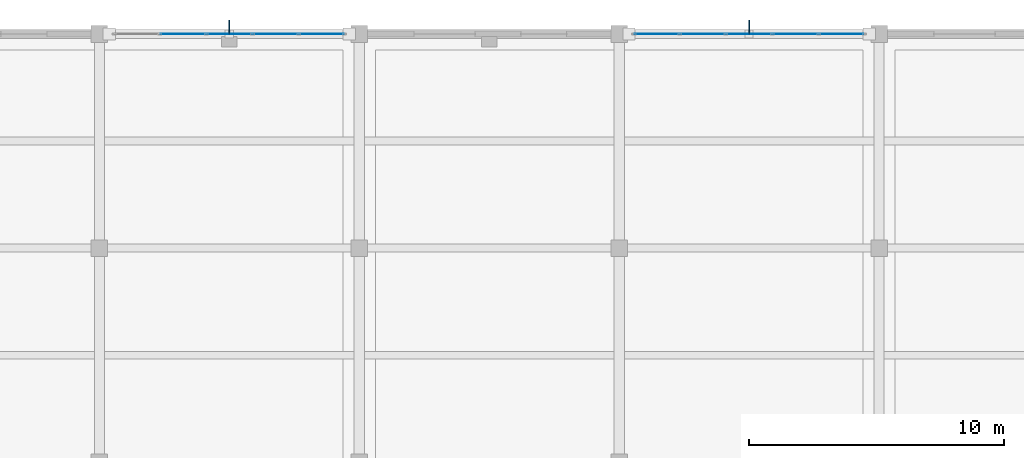
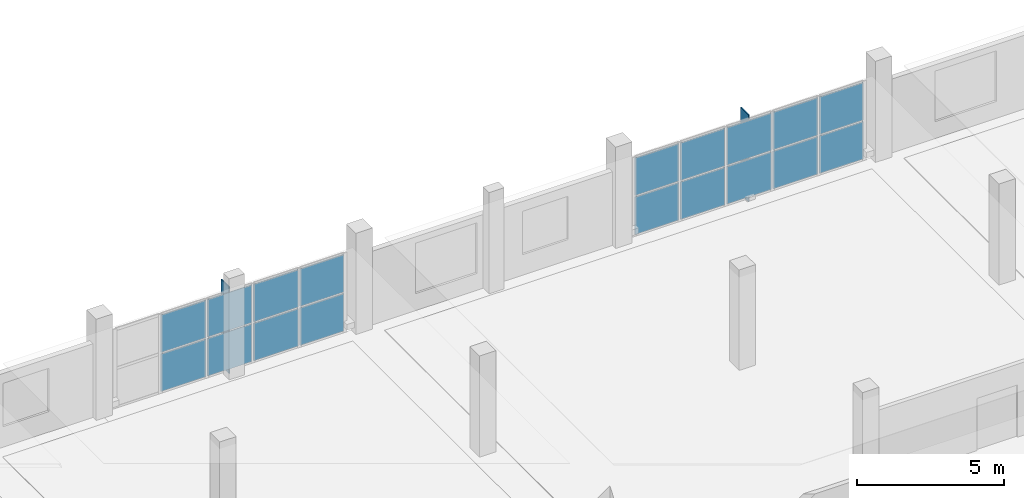
# One storey, part 115 of 135: 20 plates, 2 elements without a shape of their own.
"""IFC4 building model written with IfcOpenShell, lengths in metres."""

from ifc_helpers import new_model, si_unit, direction, frame, origin, origin_2d, place, context, subcontext, project, spatial, rectangle, extrude, material, layer, layer_set, type_object, element, aggregate, save


model = new_model("IFC4")

# Units and contexts
model_context = context("Model", 3, precision=1e-05, world=origin(), true_north=direction((0.0, 1.0)))
body_context = subcontext(model_context, "Body", "Model", "MODEL_VIEW")
ifc_project = project(units=[si_unit("LENGTHUNIT", "METRE"), si_unit("AREAUNIT", "SQUARE_METRE"), si_unit("VOLUMEUNIT", "CUBIC_METRE"), si_unit("PLANEANGLEUNIT", "RADIAN"), si_unit("MASSUNIT", "GRAM", prefix="KILO")], contexts=[model_context])

# Site, building, storey
site_placement = place(None, origin())
site = spatial("IfcSite", under=ifc_project, at=site_placement, CompositionType="ELEMENT")
building_placement = place(site_placement, origin())
building = spatial("IfcBuilding", under=site, at=building_placement, Name="Brelvane Convention Centre", CompositionType="ELEMENT")
storey_placement = place(building_placement, frame((0.0, 0.0, 15.0)))
storey = spatial("IfcBuildingStorey", under=building, at=storey_placement, Name="L03", CompositionType="ELEMENT", Elevation=15.0)

# Curtain wall, plates
ifc_material_1 = material(Name="Anodised Aluminium Alloy 6063-T6", Category="aluminium")
curtain_wall_type = type_object("IfcCurtainWallType", Name="Curtain Wall CW-BOUL", PredefinedType="USERDEFINED", material=ifc_material_1)
curtain_wall_1_placement = place(storey_placement, origin())
curtain_wall_1 = element("IfcCurtainWall", 1, at=curtain_wall_1_placement, inside=storey, type_object=curtain_wall_type, Name="Curtain Wall CW-BOUL L03-V4N-06", ObjectType="UNITISED", PredefinedType="USERDEFINED")
ifc_material_2 = material(Name="Double Glazed Low-E Laminated Unit")
ifc_layer_1 = layer(ifc_material_2, 0.0380859375)
ifc_layer_set_1 = layer_set([ifc_layer_1], Name="Double Glazed Low-E Laminated Unit")
plate_type_1 = type_object("IfcPlateType", Name="Curtain Panel CW-PG2", PredefinedType="CURTAIN_PANEL", material=ifc_layer_set_1)
plate_1_placement = place(storey_placement, frame((54.280029296875, 144.0, 0.06005859375), z_axis=(0.0, 0.0, 1.0), x_axis=(1.0, 0.0, 0.0)))
plate_1 = element("IfcPlate", 2, at=plate_1_placement, type_object=plate_type_1, Name="CW-BOUL panel 2.1", PredefinedType="CURTAIN_PANEL", context=body_context, shape_type="SweptSolid", body=[
    extrude(rectangle(XDim=1.7548828125, YDim=0.0380859375, at=origin_2d()), origin(), (0.0, 0.0, 1.0), 1.56005859375),
])
plate_2_placement = place(storey_placement, frame((54.280029296875, 144.0, 1.679931640625), z_axis=(0.0, 0.0, 1.0), x_axis=(1.0, 0.0, 0.0)))
plate_2 = element("IfcPlate", 3, at=plate_2_placement, type_object=plate_type_1, Name="CW-BOUL panel 2.2", PredefinedType="CURTAIN_PANEL", context=body_context, shape_type="SweptSolid", body=[
    extrude(rectangle(XDim=1.7548828125, YDim=0.0380859375, at=origin_2d()), origin(), (0.0, 0.0, 1.0), 1.56005859375),
])
plate_3_placement = place(storey_placement, frame((56.10009765625, 144.0, 0.06005859375), z_axis=(0.0, 0.0, 1.0), x_axis=(1.0, 0.0, 0.0)))
plate_3 = element("IfcPlate", 4, at=plate_3_placement, type_object=plate_type_1, Name="CW-BOUL panel 3.1", PredefinedType="CURTAIN_PANEL", context=body_context, shape_type="SweptSolid", body=[
    extrude(rectangle(XDim=1.7548828125, YDim=0.0380859375, at=origin_2d()), origin(), (0.0, 0.0, 1.0), 1.56005859375),
])
plate_4_placement = place(storey_placement, frame((56.10009765625, 144.0, 1.679931640625), z_axis=(0.0, 0.0, 1.0), x_axis=(1.0, 0.0, 0.0)))
plate_4 = element("IfcPlate", 5, at=plate_4_placement, type_object=plate_type_1, Name="CW-BOUL panel 3.2", PredefinedType="CURTAIN_PANEL", context=body_context, shape_type="SweptSolid", body=[
    extrude(rectangle(XDim=1.7548828125, YDim=0.0380859375, at=origin_2d()), origin(), (0.0, 0.0, 1.0), 1.56005859375),
])
plate_5_placement = place(storey_placement, frame((57.919921875, 144.0, 0.06005859375), z_axis=(0.0, 0.0, 1.0), x_axis=(1.0, 0.0, 0.0)))
plate_5 = element("IfcPlate", 6, at=plate_5_placement, type_object=plate_type_1, Name="CW-BOUL panel 4.1", PredefinedType="CURTAIN_PANEL", context=body_context, shape_type="SweptSolid", body=[
    extrude(rectangle(XDim=1.7548828125, YDim=0.0380859375, at=origin_2d()), origin(), (0.0, 0.0, 1.0), 1.56005859375),
])
plate_6_placement = place(storey_placement, frame((57.919921875, 144.0, 1.679931640625), z_axis=(0.0, 0.0, 1.0), x_axis=(1.0, 0.0, 0.0)))
plate_6 = element("IfcPlate", 7, at=plate_6_placement, type_object=plate_type_1, Name="CW-BOUL panel 4.2", PredefinedType="CURTAIN_PANEL", context=body_context, shape_type="SweptSolid", body=[
    extrude(rectangle(XDim=1.7548828125, YDim=0.0380859375, at=origin_2d()), origin(), (0.0, 0.0, 1.0), 1.56005859375),
])
plate_7_placement = place(storey_placement, frame((59.7236328125, 144.0, 0.06005859375), z_axis=(0.0, 0.0, 1.0), x_axis=(1.0, 0.0, 0.0)))
plate_7 = element("IfcPlate", 8, at=plate_7_placement, type_object=plate_type_1, Name="CW-BOUL panel 5.1", PredefinedType="CURTAIN_PANEL", context=body_context, shape_type="SweptSolid", body=[
    extrude(rectangle(XDim=1.722412109375, YDim=0.0380859375, at=origin_2d()), origin(), (0.0, 0.0, 1.0), 1.56005859375),
])
plate_8_placement = place(storey_placement, frame((59.7236328125, 144.0, 1.679931640625), z_axis=(0.0, 0.0, 1.0), x_axis=(1.0, 0.0, 0.0)))
plate_8 = element("IfcPlate", 9, at=plate_8_placement, type_object=plate_type_1, Name="CW-BOUL panel 5.2", PredefinedType="CURTAIN_PANEL", context=body_context, shape_type="SweptSolid", body=[
    extrude(rectangle(XDim=1.722412109375, YDim=0.0380859375, at=origin_2d()), origin(), (0.0, 0.0, 1.0), 1.56005859375),
])
aggregate(curtain_wall_1, [plate_1, plate_2, plate_3, plate_4, plate_5, plate_6, plate_7, plate_8])

curtain_wall_2_placement = place(storey_placement, origin())
curtain_wall_2 = element("IfcCurtainWall", 10, at=curtain_wall_2_placement, inside=storey, type_object=curtain_wall_type, Name="Curtain Wall CW-BOUL L03-V4N-08", ObjectType="UNITISED", PredefinedType="USERDEFINED")
plate_9_placement = place(storey_placement, frame((72.876220703125, 144.0, 0.06005859375), z_axis=(0.0, 0.0, 1.0), x_axis=(1.0, 0.0, 0.0)))
plate_9 = element("IfcPlate", 11, at=plate_9_placement, type_object=plate_type_1, Name="CW-BOUL panel 1.1", PredefinedType="CURTAIN_PANEL", context=body_context, shape_type="SweptSolid", body=[
    extrude(rectangle(XDim=1.722412109375, YDim=0.0380859375, at=origin_2d()), origin(), (0.0, 0.0, 1.0), 1.56005859375),
])
plate_10_placement = place(storey_placement, frame((72.876220703125, 144.0, 1.679931640625), z_axis=(0.0, 0.0, 1.0), x_axis=(1.0, 0.0, 0.0)))
plate_10 = element("IfcPlate", 12, at=plate_10_placement, type_object=plate_type_1, Name="CW-BOUL panel 1.2", PredefinedType="CURTAIN_PANEL", context=body_context, shape_type="SweptSolid", body=[
    extrude(rectangle(XDim=1.722412109375, YDim=0.0380859375, at=origin_2d()), origin(), (0.0, 0.0, 1.0), 1.56005859375),
])
plate_11_placement = place(storey_placement, frame((74.679931640625, 144.0, 0.06005859375), z_axis=(0.0, 0.0, 1.0), x_axis=(1.0, 0.0, 0.0)))
plate_11 = element("IfcPlate", 13, at=plate_11_placement, type_object=plate_type_1, Name="CW-BOUL panel 2.1", PredefinedType="CURTAIN_PANEL", context=body_context, shape_type="SweptSolid", body=[
    extrude(rectangle(XDim=1.7548828125, YDim=0.0380859375, at=origin_2d()), origin(), (0.0, 0.0, 1.0), 1.56005859375),
])
plate_12_placement = place(storey_placement, frame((74.679931640625, 144.0, 1.679931640625), z_axis=(0.0, 0.0, 1.0), x_axis=(1.0, 0.0, 0.0)))
plate_12 = element("IfcPlate", 14, at=plate_12_placement, type_object=plate_type_1, Name="CW-BOUL panel 2.2", PredefinedType="CURTAIN_PANEL", context=body_context, shape_type="SweptSolid", body=[
    extrude(rectangle(XDim=1.7548828125, YDim=0.0380859375, at=origin_2d()), origin(), (0.0, 0.0, 1.0), 1.56005859375),
])
plate_13_placement = place(storey_placement, frame((76.5, 144.0, 0.06005859375), z_axis=(0.0, 0.0, 1.0), x_axis=(1.0, 0.0, 0.0)))
plate_13 = element("IfcPlate", 15, at=plate_13_placement, type_object=plate_type_1, Name="CW-BOUL panel 3.1", PredefinedType="CURTAIN_PANEL", context=body_context, shape_type="SweptSolid", body=[
    extrude(rectangle(XDim=1.7548828125, YDim=0.0380859375, at=origin_2d()), origin(), (0.0, 0.0, 1.0), 1.56005859375),
])
plate_14_placement = place(storey_placement, frame((76.5, 144.0, 1.679931640625), z_axis=(0.0, 0.0, 1.0), x_axis=(1.0, 0.0, 0.0)))
plate_14 = element("IfcPlate", 16, at=plate_14_placement, type_object=plate_type_1, Name="CW-BOUL panel 3.2", PredefinedType="CURTAIN_PANEL", context=body_context, shape_type="SweptSolid", body=[
    extrude(rectangle(XDim=1.7548828125, YDim=0.0380859375, at=origin_2d()), origin(), (0.0, 0.0, 1.0), 1.56005859375),
])
plate_15_placement = place(storey_placement, frame((78.320068359375, 144.0, 0.06005859375), z_axis=(0.0, 0.0, 1.0), x_axis=(1.0, 0.0, 0.0)))
plate_15 = element("IfcPlate", 17, at=plate_15_placement, type_object=plate_type_1, Name="CW-BOUL panel 4.1", PredefinedType="CURTAIN_PANEL", context=body_context, shape_type="SweptSolid", body=[
    extrude(rectangle(XDim=1.7548828125, YDim=0.0380859375, at=origin_2d()), origin(), (0.0, 0.0, 1.0), 1.56005859375),
])
plate_16_placement = place(storey_placement, frame((78.320068359375, 144.0, 1.679931640625), z_axis=(0.0, 0.0, 1.0), x_axis=(1.0, 0.0, 0.0)))
plate_16 = element("IfcPlate", 18, at=plate_16_placement, type_object=plate_type_1, Name="CW-BOUL panel 4.2", PredefinedType="CURTAIN_PANEL", context=body_context, shape_type="SweptSolid", body=[
    extrude(rectangle(XDim=1.7548828125, YDim=0.0380859375, at=origin_2d()), origin(), (0.0, 0.0, 1.0), 1.56005859375),
])
plate_17_placement = place(storey_placement, frame((80.123779296875, 144.0, 0.06005859375), z_axis=(0.0, 0.0, 1.0), x_axis=(1.0, 0.0, 0.0)))
plate_17 = element("IfcPlate", 19, at=plate_17_placement, type_object=plate_type_1, Name="CW-BOUL panel 5.1", PredefinedType="CURTAIN_PANEL", context=body_context, shape_type="SweptSolid", body=[
    extrude(rectangle(XDim=1.722412109375, YDim=0.0380859375, at=origin_2d()), origin(), (0.0, 0.0, 1.0), 1.56005859375),
])
plate_18_placement = place(storey_placement, frame((80.123779296875, 144.0, 1.679931640625), z_axis=(0.0, 0.0, 1.0), x_axis=(1.0, 0.0, 0.0)))
plate_18 = element("IfcPlate", 20, at=plate_18_placement, type_object=plate_type_1, Name="CW-BOUL panel 5.2", PredefinedType="CURTAIN_PANEL", context=body_context, shape_type="SweptSolid", body=[
    extrude(rectangle(XDim=1.722412109375, YDim=0.0380859375, at=origin_2d()), origin(), (0.0, 0.0, 1.0), 1.56005859375),
])
aggregate(curtain_wall_2, [plate_9, plate_10, plate_11, plate_12, plate_13, plate_14, plate_15, plate_16, plate_17, plate_18])

# Plates
ifc_material_3 = material(Name="Patinated Copper-Bronze Alloy C22000")
ifc_layer_2 = layer(ifc_material_3, 0.044921875)
ifc_layer_set_2 = layer_set([ifc_layer_2], Name="Patinated Copper-Bronze Alloy C22000")
plate_type_2 = type_object("IfcPlateType", Name="Monsoon Sun Fin FN-CU2", PredefinedType="USERDEFINED", material=ifc_layer_set_2)
for number, where, z_axis, x_axis, name in (
    (21, (56.10009765625, 144.27490234375, -0.150146484375), (0.0, 0.0, 1.0), (1.0, 0.0, 0.0), "Rear Wing Monsoon Sun Fin L03-F6"),
    (22, (76.5, 144.27490234375, -0.150146484375), (0.0, 0.0, 1.0), (1.0, 0.0, 0.0), "Rear Wing Monsoon Sun Fin L03-F8"),
):
    element("IfcPlate", number, at=place(storey_placement, frame(where, z_axis=z_axis, x_axis=x_axis)), inside=storey, type_object=plate_type_2, Name=name, ObjectType="SHADING_DEVICE", PredefinedType="USERDEFINED", context=body_context, shape_type="SweptSolid", body=[
        extrude(rectangle(XDim=0.044921875, YDim=0.550048828125, at=origin_2d()), origin(), (0.0, 0.0, 1.0), 3.60009765625),
    ])

save(model, "model.ifc")
